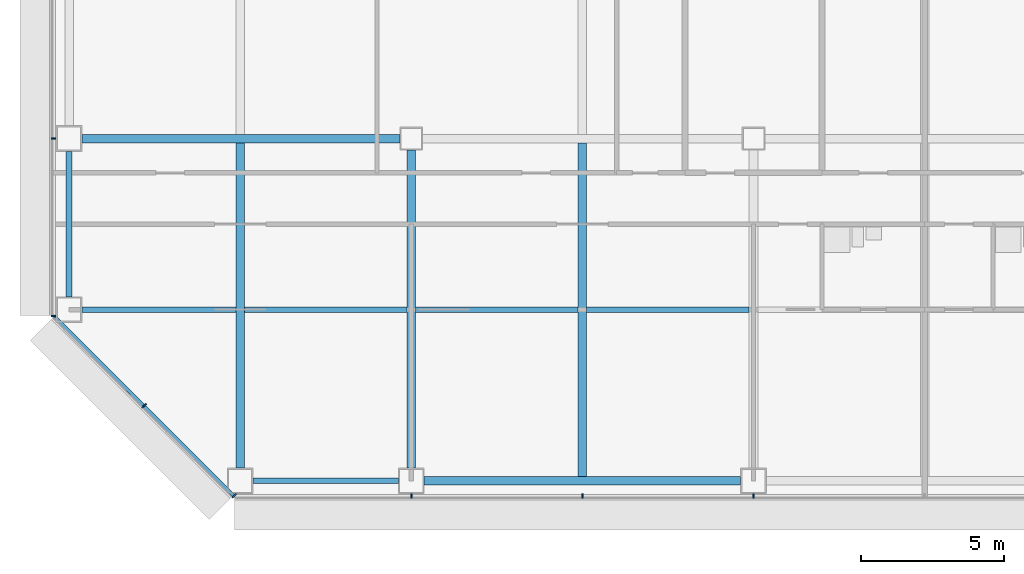
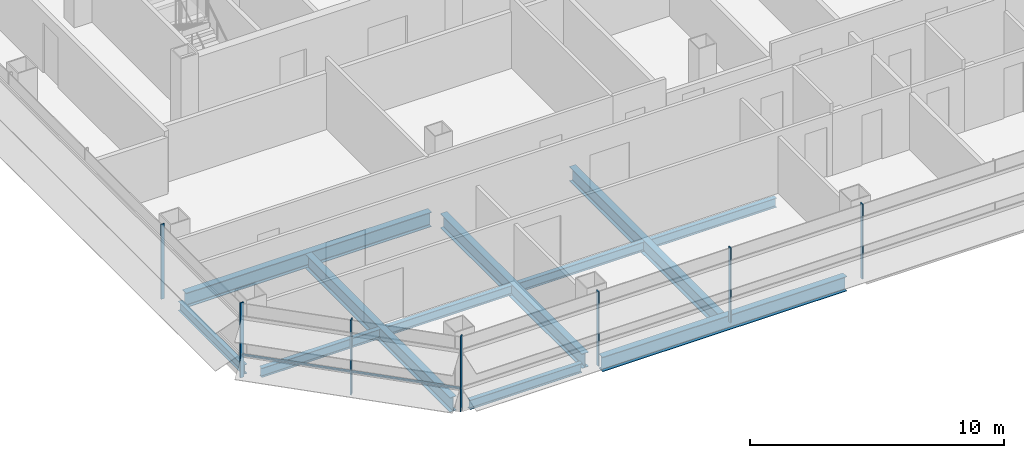
# One storey, part 2 of 26: 11 beams, 8 members, 3 elements without a shape of their own.
"""IFC4 building model written with IfcOpenShell, lengths in metres."""

from ifc_helpers import new_model, si_unit, direction, frame, origin, origin_2d, place, context, subcontext, project, spatial, rectangle, i_section, extrude, material, material_profile, profile_set, type_object, element, aggregate, save


model = new_model("IFC4")

# Units and contexts
model_context = context("Model", 3, precision=1e-05, world=origin(), true_north=direction((0.0, 1.0)))
body_context = subcontext(model_context, "Body", "Model", "MODEL_VIEW")
ifc_project = project(units=[si_unit("LENGTHUNIT", "METRE"), si_unit("AREAUNIT", "SQUARE_METRE"), si_unit("VOLUMEUNIT", "CUBIC_METRE"), si_unit("PLANEANGLEUNIT", "RADIAN"), si_unit("MASSUNIT", "GRAM", prefix="KILO")], contexts=[model_context])

# Site, building, storey
site_placement = place(None, origin())
site = spatial("IfcSite", under=ifc_project, at=site_placement, CompositionType="ELEMENT")
building_placement = place(site_placement, origin())
building = spatial("IfcBuilding", under=site, at=building_placement, Name="Sorahane Residences", CompositionType="ELEMENT")
storey_placement = place(building_placement, frame((0.0, 0.0, 67.800048828125)))
storey = spatial("IfcBuildingStorey", under=building, at=storey_placement, Name="L13", CompositionType="ELEMENT", Elevation=67.800048828125)

# Curtain wall, members
ifc_material_1 = material(Name="Dark low-e glass and black anodised aluminium", Category="aluminium")
curtain_wall_type_1 = type_object("IfcCurtainWallType", Name="Curtain wall CW-1 Typical unitised wall", PredefinedType="NOTDEFINED", material=ifc_material_1)
curtain_wall_1_placement = place(storey_placement, origin())
curtain_wall_1 = element("IfcCurtainWall", 1, at=curtain_wall_1_placement, inside=storey, type_object=curtain_wall_type_1, Name="CW-1 curtain wall L13 S1", PredefinedType="NOTDEFINED")
ifc_material_2 = material(Name="Black anodised aluminium", Category="aluminium")
ifc_material_profile_1 = material_profile(ifc_material_2, rectangle(XDim=0.159912109375, YDim=0.050048828125, at=origin_2d()), Name="Curtain wall mullion CW-1 black anodised aluminium 50x160")
ifc_profile_set_1 = profile_set([ifc_material_profile_1], Name="Black anodised aluminium")
member_type_1 = type_object("IfcMemberType", Name="Curtain wall mullion CW-1 black anodised aluminium 50x160", PredefinedType="MULLION", material=ifc_profile_set_1)
member_1_placement = place(storey_placement, frame((12.0, -0.5400390625, -0.179931640625), z_axis=(0.0, 0.0, 1.0), x_axis=(0.0, -1.0, 0.0)))
member_1 = element("IfcMember", 2, at=member_1_placement, type_object=member_type_1, Name="CW-1 mullion L13 S1.2", PredefinedType="MULLION", context=body_context, shape_type="SweptSolid", body=[
    extrude(rectangle(XDim=0.159912109375, YDim=0.050048828125, at=origin_2d()), origin(), (0.0, 0.0, 1.0), 3.599853515625),
])
member_2_placement = place(storey_placement, frame((18.0, -0.5400390625, -0.179931640625), z_axis=(0.0, 0.0, 1.0), x_axis=(0.0, -1.0, 0.0)))
member_2 = element("IfcMember", 3, at=member_2_placement, type_object=member_type_1, Name="CW-1 mullion L13 S1.3", PredefinedType="MULLION", context=body_context, shape_type="SweptSolid", body=[
    extrude(rectangle(XDim=0.159912109375, YDim=0.050048828125, at=origin_2d()), origin(), (0.0, 0.0, 1.0), 3.599853515625),
])
member_3_placement = place(storey_placement, frame((24.0, -0.5400390625, -0.179931640625), z_axis=(0.0, 0.0, 1.0), x_axis=(0.0, -1.0, 0.0)))
member_3 = element("IfcMember", 4, at=member_3_placement, type_object=member_type_1, Name="CW-1 mullion L13 S1.4", PredefinedType="MULLION", context=body_context, shape_type="SweptSolid", body=[
    extrude(rectangle(XDim=0.159912109375, YDim=0.050048828125, at=origin_2d()), origin(), (0.0, 0.0, 1.0), 3.599853515625),
])
aggregate(curtain_wall_1, [member_1, member_2, member_3])

curtain_wall_2_placement = place(storey_placement, origin())
curtain_wall_2 = element("IfcCurtainWall", 5, at=curtain_wall_2_placement, inside=storey, type_object=curtain_wall_type_1, Name="CW-1 curtain wall L13 W1", PredefinedType="NOTDEFINED")
member_4_placement = place(storey_placement, frame((-0.5400390625, 12.0, -0.179931640625), z_axis=(0.0, 0.0, 1.0), x_axis=(-1.0, 0.0, 0.0)))
member_4 = element("IfcMember", 6, at=member_4_placement, type_object=member_type_1, Name="CW-1 mullion L13 W1.6", PredefinedType="MULLION", context=body_context, shape_type="SweptSolid", body=[
    extrude(rectangle(XDim=0.159912109375, YDim=0.050048828125, at=origin_2d()), origin(), (0.0, 0.0, 1.0), 3.599853515625),
])
member_5_placement = place(storey_placement, frame((-0.5400390625, 5.7763671875, -0.179931640625), z_axis=(0.0, 0.0, 1.0), x_axis=(-1.0, 0.0, 0.0)))
member_5 = element("IfcMember", 7, at=member_5_placement, type_object=member_type_1, Name="CW-1 mullion L13 W1.7", PredefinedType="MULLION", context=body_context, shape_type="SweptSolid", body=[
    extrude(rectangle(XDim=0.159912109375, YDim=0.050048828125, at=origin_2d()), origin(), (0.0, 0.0, 1.0), 3.599853515625),
])
aggregate(curtain_wall_2, [member_4, member_5])

ifc_material_3 = material(Name="Dark low-e glass and black anodised aluminium", Category="aluminium")
curtain_wall_type_2 = type_object("IfcCurtainWallType", Name="Curtain wall CW-2 Chamfer unitised wall", PredefinedType="NOTDEFINED", material=ifc_material_3)
curtain_wall_3_placement = place(storey_placement, origin())
curtain_wall_3 = element("IfcCurtainWall", 8, at=curtain_wall_3_placement, inside=storey, type_object=curtain_wall_type_2, Name="CW-2 curtain wall L13 SW1", PredefinedType="NOTDEFINED")
ifc_material_4 = material(Name="Black anodised aluminium", Category="aluminium")
ifc_material_profile_2 = material_profile(ifc_material_4, rectangle(XDim=0.199951171875, YDim=0.050048828125, at=origin_2d()), Name="Curtain wall mullion CW-2 black anodised aluminium 50x200")
ifc_profile_set_2 = profile_set([ifc_material_profile_2], Name="Black anodised aluminium")
member_type_2 = type_object("IfcMemberType", Name="Curtain wall mullion CW-2 black anodised aluminium 50x200", PredefinedType="MULLION", material=ifc_profile_set_2)
member_6_placement = place(storey_placement, frame((2.63232421875, 2.63232421875, -0.179931640625), z_axis=(0.0, 0.0, 1.0), x_axis=(-0.707106781187, -0.707106781187, 0.0)))
member_6 = element("IfcMember", 9, at=member_6_placement, type_object=member_type_2, Name="CW-2 mullion L13 SW1.2", PredefinedType="MULLION", context=body_context, shape_type="SweptSolid", body=[
    extrude(rectangle(XDim=0.199951171875, YDim=0.050048828125, at=origin_2d()), origin(), (0.0, 0.0, 1.0), 3.599853515625),
])
member_7_placement = place(storey_placement, frame((5.790283203125, -0.525634765625, -0.179931640625), z_axis=(0.0, 0.0, 1.0), x_axis=(-0.707106781187, -0.707106781187, 0.0)))
member_7 = element("IfcMember", 10, at=member_7_placement, type_object=member_type_2, Name="CW-2 mullion L13 SW1.3", PredefinedType="MULLION", context=body_context, shape_type="SweptSolid", body=[
    extrude(rectangle(XDim=0.199951171875, YDim=0.050048828125, at=origin_2d()), origin(), (0.0, 0.0, 1.0), 3.599853515625),
])
ifc_material_5 = material(Name="Black anodised aluminium", Category="aluminium")
ifc_material_profile_3 = material_profile(ifc_material_5, rectangle(XDim=0.10009765625, YDim=0.06005859375, at=origin_2d()), Name="Curtain wall transom CW-2 black anodised aluminium 60x100")
ifc_profile_set_3 = profile_set([ifc_material_profile_3], Name="Black anodised aluminium")
member_type_3 = type_object("IfcMemberType", Name="Curtain wall transom CW-2 black anodised aluminium 60x100", PredefinedType="USERDEFINED", material=ifc_profile_set_3)
member_8_placement = place(storey_placement, frame((-0.51513671875, 5.765625, 0.89990234375), z_axis=(0.707106781187, -0.707106781187, 0.0), x_axis=(0.707106781187, 0.707106781187, 0.0)))
member_8 = element("IfcMember", 11, at=member_8_placement, type_object=member_type_3, Name="CW-2 transom L13 SW1", ObjectType="TRANSOM", PredefinedType="USERDEFINED", context=body_context, shape_type="SweptSolid", body=[
    extrude(rectangle(XDim=0.10009765625, YDim=0.06005859375, at=origin_2d()), origin(), (0.0, 0.0, 1.0), 8.88232421875),
])
aggregate(curtain_wall_3, [member_6, member_7, member_8])

# Beams
ifc_material_6 = material(Name="Steel Q355B", Category="steel")
ifc_material_profile_4 = material_profile(ifc_material_6, i_section(OverallWidth=0.199951171875, OverallDepth=0.449951171875, WebThickness=0.009033203125, FlangeThickness=0.013916015625, FilletRadius=0.02001953125, at=origin_2d()), Name="HN 450x200x9x14")
ifc_profile_set_4 = profile_set([ifc_material_profile_4], Name="Steel Q355B")
beam_type_1 = type_object("IfcBeamType", Name="Steel floor beam HN 450x200x9x14 Q355B", PredefinedType="BEAM", material=ifc_profile_set_4)
for number, where, z_axis, x_axis, name in (
    (12, (6.449951171875, 0.0, -0.405029296875), (1.0, 0.0, 0.0), (0.0, 1.0, 0.0), "Beam L13 000"),
    (13, (0.0, 6.449951171875, -0.405029296875), (0.0, 1.0, 0.0), (-1.0, 0.0, 0.0), "Beam L13 017"),
):
    element("IfcBeam", number, at=place(storey_placement, frame(where, z_axis=z_axis, x_axis=x_axis)), inside=storey, type_object=beam_type_1, Name=name, PredefinedType="BEAM", context=body_context, shape_type="SweptSolid", body=[
        extrude(i_section(OverallWidth=0.199951171875, OverallDepth=0.449951171875, WebThickness=0.009033203125, FlangeThickness=0.013916015625, FilletRadius=0.02001953125, at=origin_2d()), origin(), (0.0, 0.0, 1.0), 5.10009765625),
    ])
beam_1_placement = place(storey_placement, frame((0.449951171875, 6.0, -0.405029296875), z_axis=(1.0, 0.0, 0.0), x_axis=(0.0, 1.0, 0.0)))
element("IfcBeam", 14, at=beam_1_placement, inside=storey, type_object=beam_type_1, Name="Beam L13 061", PredefinedType="BEAM", context=body_context, shape_type="SweptSolid", body=[
    extrude(i_section(OverallWidth=0.199951171875, OverallDepth=0.449951171875, WebThickness=0.009033203125, FlangeThickness=0.013916015625, FilletRadius=0.02001953125, at=origin_2d()), origin(), (0.0, 0.0, 1.0), 5.400146484375),
])
for number, where, z_axis, x_axis, name in (
    (15, (6.14990234375, 6.0, -0.405029296875), (1.0, 0.0, 0.0), (0.0, 1.0, 0.0), "Beam L13 062"),
    (16, (12.14990234375, 6.0, -0.405029296875), (1.0, 0.0, 0.0), (0.0, 1.0, 0.0), "Beam L13 063"),
    (17, (18.14990234375, 6.0, -0.405029296875), (1.0, 0.0, 0.0), (0.0, 1.0, 0.0), "Beam L13 064"),
):
    element("IfcBeam", number, at=place(storey_placement, frame(where, z_axis=z_axis, x_axis=x_axis)), inside=storey, type_object=beam_type_1, Name=name, PredefinedType="BEAM", context=body_context, shape_type="SweptSolid", body=[
        extrude(i_section(OverallWidth=0.199951171875, OverallDepth=0.449951171875, WebThickness=0.009033203125, FlangeThickness=0.013916015625, FilletRadius=0.02001953125, at=origin_2d()), origin(), (0.0, 0.0, 1.0), 5.7001953125),
    ])
ifc_material_7 = material(Name="Steel Q355B", Category="steel")
ifc_material_profile_5 = material_profile(ifc_material_7, i_section(OverallWidth=0.300048828125, OverallDepth=0.699951171875, WebThickness=0.012939453125, FlangeThickness=0.02392578125, FilletRadius=0.028076171875, at=origin_2d()), Name="HN 700x300x13x24")
ifc_profile_set_5 = profile_set([ifc_material_profile_5], Name="Steel Q355B")
beam_type_2 = type_object("IfcBeamType", Name="Steel floor beam HN 700x300x13x24 Q355B", PredefinedType="BEAM", material=ifc_profile_set_5)
beam_2_placement = place(storey_placement, frame((12.449951171875, 0.0, -0.530029296875), z_axis=(1.0, 0.0, 0.0), x_axis=(0.0, 1.0, 0.0)))
element("IfcBeam", 18, at=beam_2_placement, inside=storey, type_object=beam_type_2, Name="Beam L13 001", PredefinedType="BEAM", context=body_context, shape_type="SweptSolid", body=[
    extrude(i_section(OverallWidth=0.300048828125, OverallDepth=0.699951171875, WebThickness=0.012939453125, FlangeThickness=0.02392578125, FilletRadius=0.028076171875, at=origin_2d()), origin(), (0.0, 0.0, 1.0), 11.10009765625),
])
beam_3_placement = place(storey_placement, frame((0.449951171875, 12.0, -0.530029296875), z_axis=(1.0, 0.0, 0.0), x_axis=(0.0, 1.0, 0.0)))
element("IfcBeam", 19, at=beam_3_placement, inside=storey, type_object=beam_type_2, Name="Beam L13 005", PredefinedType="BEAM", context=body_context, shape_type="SweptSolid", body=[
    extrude(i_section(OverallWidth=0.300048828125, OverallDepth=0.699951171875, WebThickness=0.012939453125, FlangeThickness=0.02392578125, FilletRadius=0.028076171875, at=origin_2d()), origin(), (0.0, 0.0, 1.0), 11.150146484375),
])
beam_4_placement = place(storey_placement, frame((6.0, 0.449951171875, -0.530029296875), z_axis=(0.0, 1.0, 0.0), x_axis=(-1.0, 0.0, 0.0)))
element("IfcBeam", 20, at=beam_4_placement, inside=storey, type_object=beam_type_2, Name="Beam L13 021", PredefinedType="BEAM", context=body_context, shape_type="SweptSolid", body=[
    extrude(i_section(OverallWidth=0.300048828125, OverallDepth=0.699951171875, WebThickness=0.012939453125, FlangeThickness=0.02392578125, FilletRadius=0.028076171875, at=origin_2d()), origin(), (0.0, 0.0, 1.0), 11.400146484375),
])
beam_5_placement = place(storey_placement, frame((12.0, 0.449951171875, -0.530029296875), z_axis=(0.0, 1.0, 0.0), x_axis=(-1.0, 0.0, 0.0)))
element("IfcBeam", 21, at=beam_5_placement, inside=storey, type_object=beam_type_2, Name="Beam L13 027", PredefinedType="BEAM", context=body_context, shape_type="SweptSolid", body=[
    extrude(i_section(OverallWidth=0.300048828125, OverallDepth=0.699951171875, WebThickness=0.012939453125, FlangeThickness=0.02392578125, FilletRadius=0.028076171875, at=origin_2d()), origin(), (0.0, 0.0, 1.0), 11.150146484375),
])
beam_6_placement = place(storey_placement, frame((18.0, 0.14990234375, -0.530029296875), z_axis=(0.0, 1.0, 0.0), x_axis=(-1.0, 0.0, 0.0)))
element("IfcBeam", 22, at=beam_6_placement, inside=storey, type_object=beam_type_2, Name="Beam L13 029", PredefinedType="BEAM", context=body_context, shape_type="SweptSolid", body=[
    extrude(i_section(OverallWidth=0.300048828125, OverallDepth=0.699951171875, WebThickness=0.012939453125, FlangeThickness=0.02392578125, FilletRadius=0.028076171875, at=origin_2d()), origin(), (0.0, 0.0, 1.0), 11.7001953125),
])

save(model, "model.ifc")
